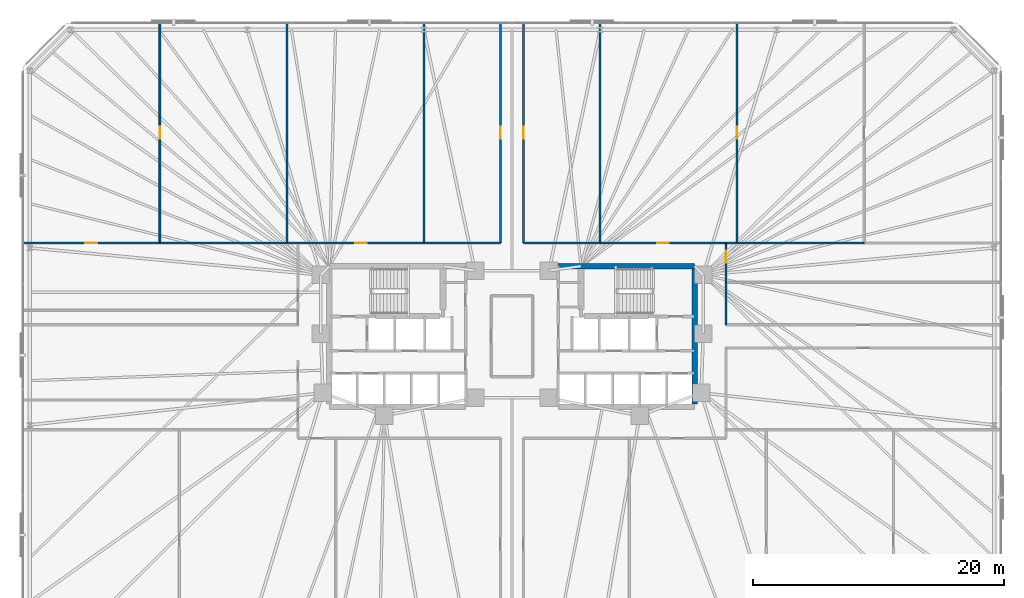
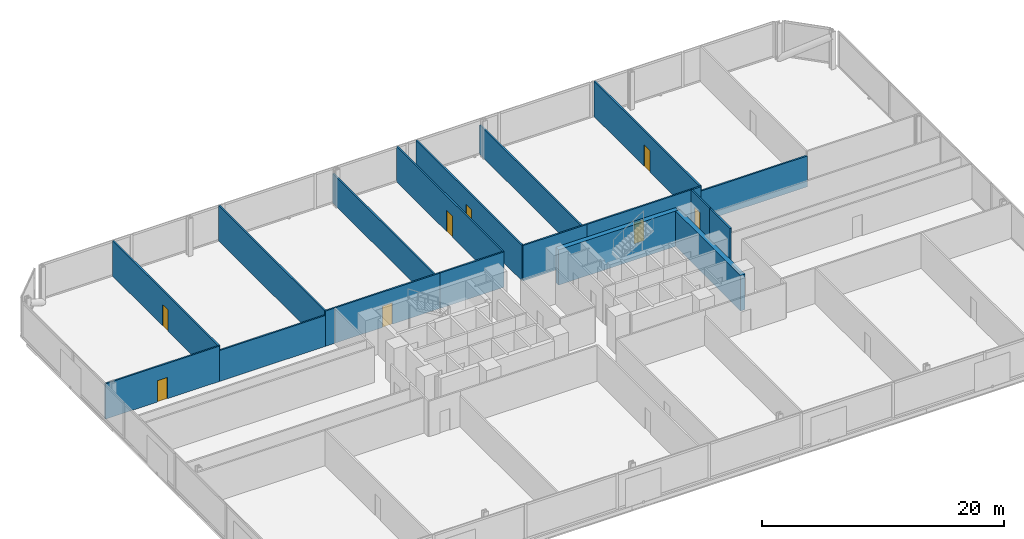
# One storey, part 14 of 17: 20 walls, 8 doors, 8 openings.
"""IFC4 building model written with IfcOpenShell, lengths in metres."""

import ifcopenshell
import ifcopenshell.guid

model = None  # the IFC model being written
_history = None  # IfcOwnerHistory: only IFC2X3 demands one
_inside = {}  # id of a spatial element -> (the spatial element, [elements in it])
_under = {}  # id of a project, library or spatial element -> (it, [spatial elements below it])
_declared = {}  # id of a project -> (the project, [libraries it declares])
_typed = {}  # id of a type object -> (the type object, [elements of that type])
_made_of = {}  # id of a material, layer set ... -> (it, [elements and type objects made of it])


def new_model(schema):
    """Start an empty IFC model of exactly this schema.

    Asked for "IFC4X3", IfcOpenShell would pick the latest addendum, in which some entities
    have other attributes; the version numbers below select the first issue.
    IFC2X3 requires an IfcOwnerHistory on every rooted entity: one is made here for all.
    """
    global model, _history
    if schema == "IFC4X3":
        model = ifcopenshell.file(schema_version=(4, 3, 0, 0))
    else:
        model = ifcopenshell.file(schema=schema)
    _inside.clear()
    _under.clear()
    _declared.clear()
    _typed.clear()
    _made_of.clear()
    _history = None
    if model.schema == "IFC2X3":
        org = make("IfcOrganization", Name="unknown")
        user = make(
            "IfcPersonAndOrganization",
            ThePerson=make("IfcPerson", FamilyName="unknown"),
            TheOrganization=org,
        )
        app = make(
            "IfcApplication",
            ApplicationDeveloper=org,
            Version="unknown",
            ApplicationFullName="unknown",
            ApplicationIdentifier="unknown",
        )
        _history = make(
            "IfcOwnerHistory",
            OwningUser=user,
            OwningApplication=app,
            ChangeAction="ADDED",
            CreationDate=0,
        )
    return model


def make(cls, **values):
    """One entity of the class cls with the attributes given. An attribute that is None is left unset."""
    return model.create_entity(
        cls, **{name: value for name, value in values.items() if value is not None}
    )


def rooted(cls, **values):
    """An entity with a GlobalId (a new one), such as an element, a storey or a relation."""
    return make(cls, GlobalId=ifcopenshell.guid.new(), OwnerHistory=_history, **values)


def si_unit(unit_type, name, prefix=None):
    """IfcSIUnit, for example si_unit("LENGTHUNIT", "METRE", prefix="MILLI")."""
    return make("IfcSIUnit", UnitType=unit_type, Prefix=prefix, Name=name)


def assignment(units):
    """IfcUnitAssignment: the units of a project."""
    return None if units is None else make("IfcUnitAssignment", Units=units)


def point(xyz):
    """IfcCartesianPoint."""
    return None if xyz is None else make("IfcCartesianPoint", Coordinates=xyz)


def direction(xyz):
    """IfcDirection."""
    return None if xyz is None else make("IfcDirection", DirectionRatios=xyz)


def frame(location, z_axis=None, x_axis=None):
    """IfcAxis2Placement3D, a coordinate frame: its origin and axes. An axis left out is left unset."""
    return make(
        "IfcAxis2Placement3D",
        Location=point(location),
        Axis=direction(z_axis),
        RefDirection=direction(x_axis),
    )


def frame_2d(location, x_axis=None):
    """IfcAxis2Placement2D, a coordinate frame in the plane: its origin and x axis."""
    return make(
        "IfcAxis2Placement2D", Location=point(location), RefDirection=direction(x_axis)
    )


def origin():
    """The frame at (0, 0, 0) with its axes left unset."""
    return frame((0.0, 0.0, 0.0))


def place(relative_to, where):
    """IfcLocalPlacement: puts the frame where relative to a parent placement (None: the world)."""
    return make(
        "IfcLocalPlacement", PlacementRelTo=relative_to, RelativePlacement=where
    )


def context(
    kind, dimensions, precision=None, world=None, true_north=None, identifier=None
):
    """IfcGeometricRepresentationContext, for example the 3D "Model" context."""
    return make(
        "IfcGeometricRepresentationContext",
        ContextIdentifier=identifier,
        ContextType=kind,
        CoordinateSpaceDimension=dimensions,
        Precision=precision,
        WorldCoordinateSystem=world,
        TrueNorth=true_north,
    )


def subcontext(parent, identifier, kind, view, scale=None):
    """IfcGeometricRepresentationSubContext, for example "Body" below "Model"."""
    return make(
        "IfcGeometricRepresentationSubContext",
        ContextIdentifier=identifier,
        ContextType=kind,
        ParentContext=parent,
        TargetScale=scale,
        TargetView=view,
    )


def project(units=None, contexts=None):
    """IfcProject with its units and contexts."""
    return rooted(
        "IfcProject",
        Name="project",
        RepresentationContexts=contexts,
        UnitsInContext=assignment(units),
    )


def spatial(cls, under=None, at=None, **own):
    """A site, building, storey or space (cls), placed at a placement, below another one or the project."""
    s = rooted(cls, ObjectPlacement=at, **own)
    if under is not None:
        _under.setdefault(under.id(), (under, []))[1].append(s)
    return s


def profile(cls, at=None, kind="AREA", **sizes):
    """A parametric profile (cls). Its sizes go by their IFC names, for example OverallWidth=200.0."""
    return make(cls, ProfileType=kind, Position=at, **sizes)


def rectangle(**sizes):
    """IfcRectangleProfileDef."""
    return profile("IfcRectangleProfileDef", **sizes)


def extrude(swept, where, along, depth):
    """IfcExtrudedAreaSolid: the profile swept, set in the frame where, extruded along a direction by depth."""
    return make(
        "IfcExtrudedAreaSolid",
        SweptArea=swept,
        Position=where,
        ExtrudedDirection=direction(along),
        Depth=depth,
    )


def shape(context_of_items, identifier, shape_type, items):
    """IfcShapeRepresentation: the items that make up one representation, for example the "Body"."""
    return make(
        "IfcShapeRepresentation",
        ContextOfItems=context_of_items,
        RepresentationIdentifier=identifier,
        RepresentationType=shape_type,
        Items=items,
    )


def material(Name=None, Category=None):
    """IfcMaterial."""
    return make("IfcMaterial", Name=Name, Category=Category)


def layer(
    of_material, thickness, ventilated=None, Name=None, Category=None, Priority=None
):
    """IfcMaterialLayer: one layer of a wall or slab, of a material (None: an air gap)."""
    return make(
        "IfcMaterialLayer",
        Material=of_material,
        LayerThickness=thickness,
        IsVentilated=ventilated,
        Name=Name,
        Category=Category,
        Priority=Priority,
    )


def layer_set(layers, Name=None):
    """IfcMaterialLayerSet."""
    return make("IfcMaterialLayerSet", MaterialLayers=layers, LayerSetName=Name)


def made_of(thing, what):
    """Note that an element or type object is made of a material, layer set ...; save() writes the relation."""
    if what is not None:
        _made_of.setdefault(what.id(), (what, []))[1].append(thing)
    return thing


def type_object(cls, material=None, **own):
    """A type object (cls), such as IfcWallType, which elements share."""
    return made_of(rooted(cls, **own), material)


def element(
    cls,
    number,
    at=None,
    inside=None,
    cuts=None,
    type_object=None,
    material=None,
    context=None,
    identifier="Body",
    shape_type=None,
    held_by="IfcProductDefinitionShape",
    body=None,
    shapes=None,
    **own,
):
    """One element of the class cls, such as IfcWall. Its Tag is "e" and its number.

    at: its placement. inside: the storey or other place that contains it. cuts: it is an
    opening in that element (IfcRelVoidsElement). A single representation is given by context,
    identifier, shape_type and body (its items); several are given by shapes. held_by: the class
    of the entity that holds the representations. save() writes the other relations.
    """
    e = rooted(cls, Tag="e%d" % number, ObjectPlacement=at, **own)
    if body is not None:
        shapes = [shape(context, identifier, shape_type, body)]
    if shapes is not None:
        e.Representation = make(held_by, Representations=shapes)
    if inside is not None:
        _inside.setdefault(inside.id(), (inside, []))[1].append(e)
    if cuts is not None:
        rooted(
            "IfcRelVoidsElement", RelatingBuildingElement=cuts, RelatedOpeningElement=e
        )
    if type_object is not None:
        _typed.setdefault(type_object.id(), (type_object, []))[1].append(e)
    return made_of(e, material)


def fill(opening, filler):
    """IfcRelFillsElement: the door or window that sits in an opening."""
    return rooted(
        "IfcRelFillsElement",
        RelatingOpeningElement=opening,
        RelatedBuildingElement=filler,
    )


def aggregate(whole, parts):
    """IfcRelAggregates: a whole, such as a stair, and the parts it consists of."""
    return rooted("IfcRelAggregates", RelatingObject=whole, RelatedObjects=parts)


def save(model, path):
    """Write the relations noted so far, then the file.

    IfcRelAggregates (storeys below a building ...), IfcRelContainedInSpatialStructure (elements
    in a storey), IfcRelDefinesByType, IfcRelAssociatesMaterial and IfcRelDeclares: one each for
    every whole, place, type object, material and project.
    """
    for whole, parts in _under.values():
        aggregate(whole, parts)
    for where, things in _inside.values():
        rooted(
            "IfcRelContainedInSpatialStructure",
            RelatedElements=things,
            RelatingStructure=where,
        )
    for kind, things in _typed.values():
        rooted("IfcRelDefinesByType", RelatedObjects=things, RelatingType=kind)
    for what, things in _made_of.values():
        rooted("IfcRelAssociatesMaterial", RelatedObjects=things, RelatingMaterial=what)
    for by, libraries in _declared.values():
        rooted("IfcRelDeclares", RelatingContext=by, RelatedDefinitions=libraries)
    model.write(path)


model = new_model("IFC4")

# Units and contexts
model_context = context("Model", 3, precision=1e-05, world=origin(), true_north=direction((0.0, 1.0)))
body_context = subcontext(model_context, "Body", "Model", "MODEL_VIEW")
ifc_project = project(units=[si_unit("LENGTHUNIT", "METRE"), si_unit("AREAUNIT", "SQUARE_METRE"), si_unit("VOLUMEUNIT", "CUBIC_METRE"), si_unit("PLANEANGLEUNIT", "RADIAN"), si_unit("MASSUNIT", "GRAM", prefix="KILO")], contexts=[model_context])

# Site, building, storey
site_placement = place(None, origin())
site = spatial("IfcSite", under=ifc_project, at=site_placement, CompositionType="ELEMENT")
building_placement = place(site_placement, origin())
building = spatial("IfcBuilding", under=site, at=building_placement, Name="Menara Jurai Vektor", CompositionType="ELEMENT")
storey_placement = place(building_placement, frame((0.0, 0.0, 25.60009765625)))
storey = spatial("IfcBuildingStorey", under=building, at=storey_placement, Name="L05", CompositionType="ELEMENT", Elevation=25.60009765625)

# Wall, opening, door
ifc_material_1 = material(Name="Gypsum Fireboard Partition", Category="gypsum")
ifc_layer_1 = layer(ifc_material_1, 0.14990234375)
ifc_layer_set_1 = layer_set([ifc_layer_1], Name="Gypsum Fireboard Partition")
wall_type_1 = type_object("IfcWallType", Name="INT-WALL-CORR-150", PredefinedType="PARTITIONING", material=ifc_layer_set_1)
wall_1_placement = place(storey_placement, frame((-17.05908203125, 7.449951171875, 0.0), z_axis=(0.0, 0.0, 1.0), x_axis=(1.0, 0.0, 0.0)))
wall_1 = element("IfcWall", 1, at=wall_1_placement, inside=storey, type_object=wall_type_1, Name="Interior Wall IW-150 L05", PredefinedType="PARTITIONING", context=body_context, shape_type="SweptSolid", body=[
    extrude(rectangle(XDim=10.0390625, YDim=0.14990234375, at=frame_2d((5.01953125, 0.0))), origin(), (0.0, 0.0, 1.0), 3.574951171875),
])
opening_1_placement = place(wall_1_placement, frame((4.54443359375, 0.0, 0.0)))
opening_1 = element("IfcOpeningElement", 2, at=opening_1_placement, cuts=wall_1, Name="Opening D05-05", PredefinedType="OPENING", context=body_context, shape_type="SweptSolid", body=[
    extrude(rectangle(XDim=0.949951171875, YDim=2.14990234375, at=frame_2d((0.47509765625, 1.074951171875))), frame((0.0, 0.0849609375, 0.0), z_axis=(0.0, -1.0, 0.0), x_axis=(1.0, 0.0, 0.0)), (0.0, 0.0, 1.0), 0.169921875),
])
ifc_material_2 = material(Name="Solid Core Timber Fire Door", Category="wood")
door_type = type_object("IfcDoorType", Name="DR-ENTRY-950", OperationType="NOTDEFINED", PredefinedType="DOOR", material=ifc_material_2)
door_1_placement = place(opening_1_placement, origin())
door_1 = element("IfcDoor", 3, at=door_1_placement, inside=storey, type_object=door_type, Name="Interior Door D05-05", OperationType="SINGLE_SWING_RIGHT", OverallHeight=2.14990234375, OverallWidth=0.949951171875, PredefinedType="DOOR", context=body_context, shape_type="SweptSolid", body=[
    extrude(rectangle(XDim=0.949951171875, YDim=2.14990234375, at=frame_2d((0.47509765625, 1.074951171875))), frame((0.0, 0.02490234375, 0.0), z_axis=(0.0, -1.0, 0.0), x_axis=(1.0, 0.0, 0.0)), (0.0, 0.0, 1.0), 0.050048828125),
])
fill(opening_1, door_1)

# Wall
wall_2_placement = place(storey_placement, frame((-7.02001953125, 7.449951171875, 0.0), z_axis=(0.0, 0.0, 1.0), x_axis=(1.0, 0.0, 0.0)))
element("IfcWall", 4, at=wall_2_placement, inside=storey, type_object=wall_type_1, Name="Interior Wall IW-150 L05", PredefinedType="PARTITIONING", context=body_context, shape_type="SweptSolid", body=[
    extrude(rectangle(XDim=6.10009765625, YDim=0.14990234375, at=frame_2d((3.050048828125, 0.0))), origin(), (0.0, 0.0, 1.0), 3.574951171875),
])

# Wall, opening, door
wall_3_placement = place(storey_placement, frame((-0.919921875, 7.449951171875, 0.0), z_axis=(0.0, 0.0, 1.0), x_axis=(0.0, 1.0, 0.0)))
wall_3 = element("IfcWall", 5, at=wall_3_placement, inside=storey, type_object=wall_type_1, Name="Interior Wall IW-150 L05", PredefinedType="PARTITIONING", context=body_context, shape_type="SweptSolid", body=[
    extrude(rectangle(XDim=17.550048828125, YDim=0.14990234375, at=frame_2d((8.77490234375, 0.0))), origin(), (0.0, 0.0, 1.0), 3.574951171875),
])
opening_2_placement = place(wall_3_placement, frame((8.300048828125, 0.0, 0.0)))
opening_2 = element("IfcOpeningElement", 6, at=opening_2_placement, cuts=wall_3, Name="Opening D05-06", PredefinedType="OPENING", context=body_context, shape_type="SweptSolid", body=[
    extrude(rectangle(XDim=0.949951171875, YDim=2.14990234375, at=frame_2d((0.47509765625, 1.074951171875))), frame((0.0, 0.0849609375, 0.0), z_axis=(0.0, -1.0, 0.0), x_axis=(1.0, 0.0, 0.0)), (0.0, 0.0, 1.0), 0.169921875),
])
door_2_placement = place(opening_2_placement, origin())
door_2 = element("IfcDoor", 7, at=door_2_placement, inside=storey, type_object=door_type, Name="Interior Door D05-06", OperationType="SINGLE_SWING_LEFT", OverallHeight=2.14990234375, OverallWidth=0.949951171875, PredefinedType="DOOR", context=body_context, shape_type="SweptSolid", body=[
    extrude(rectangle(XDim=0.949951171875, YDim=2.14990234375, at=frame_2d((0.47509765625, 1.074951171875))), frame((0.0, 0.02490234375, 0.0), z_axis=(0.0, -1.0, 0.0), x_axis=(1.0, 0.0, 0.0)), (0.0, 0.0, 1.0), 0.050048828125),
])
fill(opening_2, door_2)

wall_4_placement = place(storey_placement, frame((0.919921875, 7.449951171875, 0.0), z_axis=(0.0, 0.0, 1.0), x_axis=(0.0, 1.0, 0.0)))
wall_4 = element("IfcWall", 8, at=wall_4_placement, inside=storey, type_object=wall_type_1, Name="Interior Wall IW-150 L05", PredefinedType="PARTITIONING", context=body_context, shape_type="SweptSolid", body=[
    extrude(rectangle(XDim=17.550048828125, YDim=0.14990234375, at=frame_2d((8.77490234375, 0.0))), origin(), (0.0, 0.0, 1.0), 3.574951171875),
])
opening_3_placement = place(wall_4_placement, frame((8.300048828125, 0.0, 0.0)))
opening_3 = element("IfcOpeningElement", 9, at=opening_3_placement, cuts=wall_4, Name="Opening D05-07", PredefinedType="OPENING", context=body_context, shape_type="SweptSolid", body=[
    extrude(rectangle(XDim=0.949951171875, YDim=2.14990234375, at=frame_2d((0.47509765625, 1.074951171875))), frame((0.0, 0.0849609375, 0.0), z_axis=(0.0, -1.0, 0.0), x_axis=(1.0, 0.0, 0.0)), (0.0, 0.0, 1.0), 0.169921875),
])
door_3_placement = place(opening_3_placement, origin())
door_3 = element("IfcDoor", 10, at=door_3_placement, inside=storey, type_object=door_type, Name="Interior Door D05-07", OperationType="SINGLE_SWING_RIGHT", OverallHeight=2.14990234375, OverallWidth=0.949951171875, PredefinedType="DOOR", context=body_context, shape_type="SweptSolid", body=[
    extrude(rectangle(XDim=0.949951171875, YDim=2.14990234375, at=frame_2d((0.47509765625, 1.074951171875))), frame((0.0, 0.02490234375, 0.0), z_axis=(0.0, -1.0, 0.0), x_axis=(1.0, 0.0, 0.0)), (0.0, 0.0, 1.0), 0.050048828125),
])
fill(opening_3, door_3)

# Wall
wall_5_placement = place(storey_placement, frame((0.919921875, 7.449951171875, 0.0), z_axis=(0.0, 0.0, 1.0), x_axis=(1.0, 0.0, 0.0)))
element("IfcWall", 11, at=wall_5_placement, inside=storey, type_object=wall_type_1, Name="Interior Wall IW-150 L05", PredefinedType="PARTITIONING", context=body_context, shape_type="SweptSolid", body=[
    extrude(rectangle(XDim=6.10009765625, YDim=0.14990234375, at=frame_2d((3.050048828125, 0.0))), origin(), (0.0, 0.0, 1.0), 3.574951171875),
])

# Wall, opening, door
wall_6_placement = place(storey_placement, frame((7.02001953125, 7.449951171875, 0.0), z_axis=(0.0, 0.0, 1.0), x_axis=(1.0, 0.0, 0.0)))
wall_6 = element("IfcWall", 12, at=wall_6_placement, inside=storey, type_object=wall_type_1, Name="Interior Wall IW-150 L05", PredefinedType="PARTITIONING", context=body_context, shape_type="SweptSolid", body=[
    extrude(rectangle(XDim=10.0390625, YDim=0.14990234375, at=frame_2d((5.01953125, 0.0))), origin(), (0.0, 0.0, 1.0), 3.574951171875),
])
opening_4_placement = place(wall_6_placement, frame((4.54443359375, 0.0, 0.0)))
opening_4 = element("IfcOpeningElement", 13, at=opening_4_placement, cuts=wall_6, Name="Opening D05-08", PredefinedType="OPENING", context=body_context, shape_type="SweptSolid", body=[
    extrude(rectangle(XDim=0.949951171875, YDim=2.14990234375, at=frame_2d((0.47509765625, 1.074951171875))), frame((0.0, 0.0849609375, 0.0), z_axis=(0.0, -1.0, 0.0), x_axis=(1.0, 0.0, 0.0)), (0.0, 0.0, 1.0), 0.169921875),
])
door_4_placement = place(opening_4_placement, origin())
door_4 = element("IfcDoor", 14, at=door_4_placement, inside=storey, type_object=door_type, Name="Interior Door D05-08", OperationType="SINGLE_SWING_LEFT", OverallHeight=2.14990234375, OverallWidth=0.949951171875, PredefinedType="DOOR", context=body_context, shape_type="SweptSolid", body=[
    extrude(rectangle(XDim=0.949951171875, YDim=2.14990234375, at=frame_2d((0.47509765625, 1.074951171875))), frame((0.0, 0.02490234375, 0.0), z_axis=(0.0, -1.0, 0.0), x_axis=(1.0, 0.0, 0.0)), (0.0, 0.0, 1.0), 0.050048828125),
])
fill(opening_4, door_4)

# Wall
wall_7_placement = place(storey_placement, frame((17.05908203125, 0.919921875, 0.0), z_axis=(0.0, 0.0, 1.0), x_axis=(0.0, 1.0, 0.0)))
element("IfcWall", 15, at=wall_7_placement, inside=storey, type_object=wall_type_1, Name="Interior Wall IW-150 L05", PredefinedType="PARTITIONING", context=body_context, shape_type="SweptSolid", body=[
    extrude(rectangle(XDim=3.401123046875, YDim=0.14990234375, at=frame_2d((1.70068359375, 0.0))), origin(), (0.0, 0.0, 1.0), 3.574951171875),
])

# Wall, opening, door
wall_8_placement = place(storey_placement, frame((17.05908203125, 4.321044921875, 0.0), z_axis=(0.0, 0.0, 1.0), x_axis=(0.0, 1.0, 0.0)))
wall_8 = element("IfcWall", 16, at=wall_8_placement, inside=storey, type_object=wall_type_1, Name="Interior Wall IW-150 L05", PredefinedType="PARTITIONING", context=body_context, shape_type="SweptSolid", body=[
    extrude(rectangle(XDim=3.12890625, YDim=0.14990234375, at=frame_2d((1.564453125, 0.0))), origin(), (0.0, 0.0, 1.0), 3.574951171875),
])
opening_5_placement = place(wall_8_placement, frame((1.558837890625, 0.0, 0.0)))
opening_5 = element("IfcOpeningElement", 17, at=opening_5_placement, cuts=wall_8, Name="Opening D05-19", PredefinedType="OPENING", context=body_context, shape_type="SweptSolid", body=[
    extrude(rectangle(XDim=0.949951171875, YDim=2.14990234375, at=frame_2d((0.47509765625, 1.074951171875))), frame((0.0, 0.0849609375, 0.0), z_axis=(0.0, -1.0, 0.0), x_axis=(1.0, 0.0, 0.0)), (0.0, 0.0, 1.0), 0.169921875),
])
door_5_placement = place(opening_5_placement, origin())
door_5 = element("IfcDoor", 18, at=door_5_placement, inside=storey, type_object=door_type, Name="Interior Door D05-19", OperationType="SINGLE_SWING_RIGHT", OverallHeight=2.14990234375, OverallWidth=0.949951171875, PredefinedType="DOOR", context=body_context, shape_type="SweptSolid", body=[
    extrude(rectangle(XDim=0.949951171875, YDim=2.14990234375, at=frame_2d((0.47509765625, 1.074951171875))), frame((0.0, 0.02490234375, 0.0), z_axis=(0.0, -1.0, 0.0), x_axis=(1.0, 0.0, 0.0)), (0.0, 0.0, 1.0), 0.050048828125),
])
fill(opening_5, door_5)

wall_9_placement = place(storey_placement, frame((-28.080078125, 7.449951171875, 0.0), z_axis=(0.0, 0.0, 1.0), x_axis=(0.0, 1.0, 0.0)))
wall_9 = element("IfcWall", 19, at=wall_9_placement, inside=storey, type_object=wall_type_1, Name="Interior Wall IW-150 L05", PredefinedType="PARTITIONING", context=body_context, shape_type="SweptSolid", body=[
    extrude(rectangle(XDim=17.550048828125, YDim=0.14990234375, at=frame_2d((8.77490234375, 0.0))), origin(), (0.0, 0.0, 1.0), 3.574951171875),
])
opening_6_placement = place(wall_9_placement, frame((8.300048828125, 0.0, 0.0)))
opening_6 = element("IfcOpeningElement", 20, at=opening_6_placement, cuts=wall_9, Name="Opening D05-21", PredefinedType="OPENING", context=body_context, shape_type="SweptSolid", body=[
    extrude(rectangle(XDim=0.949951171875, YDim=2.14990234375, at=frame_2d((0.47509765625, 1.074951171875))), frame((0.0, 0.0849609375, 0.0), z_axis=(0.0, -1.0, 0.0), x_axis=(1.0, 0.0, 0.0)), (0.0, 0.0, 1.0), 0.169921875),
])
door_6_placement = place(opening_6_placement, origin())
door_6 = element("IfcDoor", 21, at=door_6_placement, inside=storey, type_object=door_type, Name="Interior Door D05-21", OperationType="SINGLE_SWING_RIGHT", OverallHeight=2.14990234375, OverallWidth=0.949951171875, PredefinedType="DOOR", context=body_context, shape_type="SweptSolid", body=[
    extrude(rectangle(XDim=0.949951171875, YDim=2.14990234375, at=frame_2d((0.47509765625, 1.074951171875))), frame((0.0, 0.02490234375, 0.0), z_axis=(0.0, -1.0, 0.0), x_axis=(1.0, 0.0, 0.0)), (0.0, 0.0, 1.0), 0.050048828125),
])
fill(opening_6, door_6)

wall_10_placement = place(storey_placement, frame((-39.0, 7.449951171875, 0.0), z_axis=(0.0, 0.0, 1.0), x_axis=(1.0, 0.0, 0.0)))
wall_10 = element("IfcWall", 22, at=wall_10_placement, inside=storey, type_object=wall_type_1, Name="Interior Wall IW-150 L05", PredefinedType="PARTITIONING", context=body_context, shape_type="SweptSolid", body=[
    extrude(rectangle(XDim=10.919921875, YDim=0.14990234375, at=frame_2d((5.4599609375, 0.0))), origin(), (0.0, 0.0, 1.0), 3.574951171875),
])
opening_7_placement = place(wall_10_placement, frame((4.985107421875, 0.0, 0.0)))
opening_7 = element("IfcOpeningElement", 23, at=opening_7_placement, cuts=wall_10, Name="Opening D05-20", PredefinedType="OPENING", context=body_context, shape_type="SweptSolid", body=[
    extrude(rectangle(XDim=0.949951171875, YDim=2.14990234375, at=frame_2d((0.47509765625, 1.074951171875))), frame((0.0, 0.0849609375, 0.0), z_axis=(0.0, -1.0, 0.0), x_axis=(1.0, 0.0, 0.0)), (0.0, 0.0, 1.0), 0.169921875),
])
door_7_placement = place(opening_7_placement, origin())
door_7 = element("IfcDoor", 24, at=door_7_placement, inside=storey, type_object=door_type, Name="Interior Door D05-20", OperationType="SINGLE_SWING_LEFT", OverallHeight=2.14990234375, OverallWidth=0.949951171875, PredefinedType="DOOR", context=body_context, shape_type="SweptSolid", body=[
    extrude(rectangle(XDim=0.949951171875, YDim=2.14990234375, at=frame_2d((0.47509765625, 1.074951171875))), frame((0.0, 0.02490234375, 0.0), z_axis=(0.0, -1.0, 0.0), x_axis=(1.0, 0.0, 0.0)), (0.0, 0.0, 1.0), 0.050048828125),
])
fill(opening_7, door_7)

# Walls
wall_11_placement = place(storey_placement, frame((-17.93994140625, 7.449951171875, 0.0), z_axis=(0.0, 0.0, 1.0), x_axis=(0.0, 1.0, 0.0)))
element("IfcWall", 25, at=wall_11_placement, inside=storey, type_object=wall_type_1, Name="Interior Wall IW-150 L05", PredefinedType="PARTITIONING", context=body_context, shape_type="SweptSolid", body=[
    extrude(rectangle(XDim=17.550048828125, YDim=0.14990234375, at=frame_2d((8.77490234375, 0.0))), origin(), (0.0, 0.0, 1.0), 3.574951171875),
])
wall_12_placement = place(storey_placement, frame((-17.93994140625, 7.449951171875, 0.0), z_axis=(0.0, 0.0, 1.0), x_axis=(1.0, 0.0, 0.0)))
element("IfcWall", 26, at=wall_12_placement, inside=storey, type_object=wall_type_1, Name="Interior Wall IW-150 L05", PredefinedType="PARTITIONING", context=body_context, shape_type="SweptSolid", body=[
    extrude(rectangle(XDim=0.880859375, YDim=0.14990234375, at=frame_2d((0.4404296875, 0.0))), origin(), (0.0, 0.0, 1.0), 3.574951171875),
])

# Wall, opening, door
wall_13_placement = place(storey_placement, frame((17.93994140625, 7.449951171875, 0.0), z_axis=(0.0, 0.0, 1.0), x_axis=(0.0, 1.0, 0.0)))
wall_13 = element("IfcWall", 27, at=wall_13_placement, inside=storey, type_object=wall_type_1, Name="Interior Wall IW-150 L05", PredefinedType="PARTITIONING", context=body_context, shape_type="SweptSolid", body=[
    extrude(rectangle(XDim=17.550048828125, YDim=0.14990234375, at=frame_2d((8.77490234375, 0.0))), origin(), (0.0, 0.0, 1.0), 3.574951171875),
])
opening_8_placement = place(wall_13_placement, frame((8.300048828125, 0.0, 0.0)))
opening_8 = element("IfcOpeningElement", 28, at=opening_8_placement, cuts=wall_13, Name="Opening D05-22", PredefinedType="OPENING", context=body_context, shape_type="SweptSolid", body=[
    extrude(rectangle(XDim=0.949951171875, YDim=2.14990234375, at=frame_2d((0.47509765625, 1.074951171875))), frame((0.0, 0.0849609375, 0.0), z_axis=(0.0, -1.0, 0.0), x_axis=(1.0, 0.0, 0.0)), (0.0, 0.0, 1.0), 0.169921875),
])
door_8_placement = place(opening_8_placement, origin())
door_8 = element("IfcDoor", 29, at=door_8_placement, inside=storey, type_object=door_type, Name="Interior Door D05-22", OperationType="SINGLE_SWING_LEFT", OverallHeight=2.14990234375, OverallWidth=0.949951171875, PredefinedType="DOOR", context=body_context, shape_type="SweptSolid", body=[
    extrude(rectangle(XDim=0.949951171875, YDim=2.14990234375, at=frame_2d((0.47509765625, 1.074951171875))), frame((0.0, 0.02490234375, 0.0), z_axis=(0.0, -1.0, 0.0), x_axis=(1.0, 0.0, 0.0)), (0.0, 0.0, 1.0), 0.050048828125),
])
fill(opening_8, door_8)

# Walls
wall_14_placement = place(storey_placement, frame((17.05908203125, 7.449951171875, 0.0), z_axis=(0.0, 0.0, 1.0), x_axis=(1.0, 0.0, 0.0)))
element("IfcWall", 30, at=wall_14_placement, inside=storey, type_object=wall_type_1, Name="Interior Wall IW-150 L05", PredefinedType="PARTITIONING", context=body_context, shape_type="SweptSolid", body=[
    extrude(rectangle(XDim=0.880859375, YDim=0.14990234375, at=frame_2d((0.4404296875, 0.0))), origin(), (0.0, 0.0, 1.0), 3.574951171875),
])
ifc_layer_2 = layer(ifc_material_1, 0.14990234375)
ifc_layer_set_2 = layer_set([ifc_layer_2], Name="Gypsum Fireboard Partition")
wall_type_2 = type_object("IfcWallType", Name="INT-WALL-CORR-150-H1", PredefinedType="PARTITIONING", material=ifc_layer_set_2)
for number, where, z_axis, x_axis, name in (
    (31, (-28.080078125, 7.449951171875, 0.0), (0.0, 0.0, 1.0), (1.0, 0.0, 0.0), "Interior Wall IW-150 L05"),
    (32, (17.93994140625, 7.449951171875, 0.0), (0.0, 0.0, 1.0), (1.0, 0.0, 0.0), "Interior Wall IW-150 L05"),
):
    element("IfcWall", number, at=place(storey_placement, frame(where, z_axis=z_axis, x_axis=x_axis)), inside=storey, type_object=wall_type_2, Name=name, PredefinedType="PARTITIONING", context=body_context, shape_type="SweptSolid", body=[
        extrude(rectangle(XDim=10.14013671875, YDim=0.14990234375, at=frame_2d((5.070068359375, 0.0))), origin(), (0.0, 0.0, 1.0), 3.125),
    ])
ifc_layer_3 = layer(ifc_material_1, 0.14990234375)
ifc_layer_set_3 = layer_set([ifc_layer_3], Name="Gypsum Fireboard Partition")
wall_type_3 = type_object("IfcWallType", Name="INT-WALL-CORR-150-H2", PredefinedType="PARTITIONING", material=ifc_layer_set_3)
for number, where, z_axis, x_axis, name in (
    (33, (-7.02001953125, 7.449951171875, 0.0), (0.0, 0.0, 1.0), (0.0, 1.0, 0.0), "Interior Wall IW-150 L05"),
    (34, (7.02001953125, 7.449951171875, 0.0), (0.0, 0.0, 1.0), (0.0, 1.0, 0.0), "Interior Wall IW-150 L05"),
):
    element("IfcWall", number, at=place(storey_placement, frame(where, z_axis=z_axis, x_axis=x_axis)), inside=storey, type_object=wall_type_3, Name=name, PredefinedType="PARTITIONING", context=body_context, shape_type="SweptSolid", body=[
        extrude(rectangle(XDim=17.550048828125, YDim=0.14990234375, at=frame_2d((8.77490234375, 0.0))), origin(), (0.0, 0.0, 1.0), 2.974853515625),
    ])
ifc_material_3 = material(Name="Concrete C60/75", Category="concrete")
ifc_layer_4 = layer(ifc_material_3, 0.449951171875)
ifc_layer_set_4 = layer_set([ifc_layer_4], Name="Concrete C60/75")
wall_type_4 = type_object("IfcWallType", Name="STR-WALL-CORE450", PredefinedType="SHEAR", material=ifc_layer_set_4)
wall_15_placement = place(storey_placement, frame((3.14990234375, 5.60009765625, 0.0), z_axis=(0.0, 0.0, 1.0), x_axis=(1.0, 0.0, 0.0)))
element("IfcWall", 35, at=wall_15_placement, inside=storey, type_object=wall_type_4, Name="Core Shear Wall CW-E-N L05", PredefinedType="SHEAR", context=body_context, shape_type="SweptSolid", body=[
    extrude(rectangle(XDim=11.41015625, YDim=0.449951171875, at=frame_2d((5.705078125, 0.0))), origin(), (0.0, 0.0, 1.0), 3.574951171875),
])
wall_16_placement = place(storey_placement, frame((14.56005859375, -5.375, 0.0), z_axis=(0.0, 0.0, 1.0), x_axis=(0.0, 1.0, 0.0)))
element("IfcWall", 36, at=wall_16_placement, inside=storey, type_object=wall_type_4, Name="Core Shear Wall CW-E-E L05", PredefinedType="SHEAR", context=body_context, shape_type="SweptSolid", body=[
    extrude(rectangle(XDim=10.75, YDim=0.449951171875, at=frame_2d((5.375, 0.0))), origin(), (0.0, 0.0, 1.0), 3.574951171875),
])

save(model, "model.ifc")
